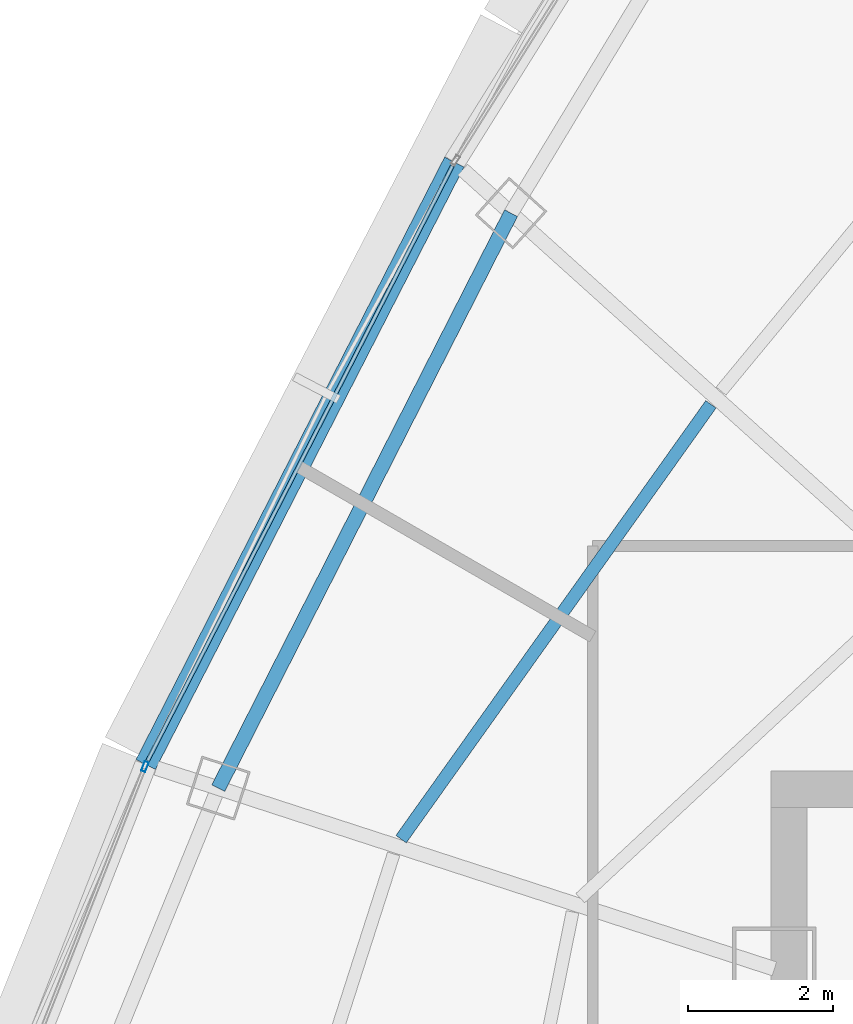
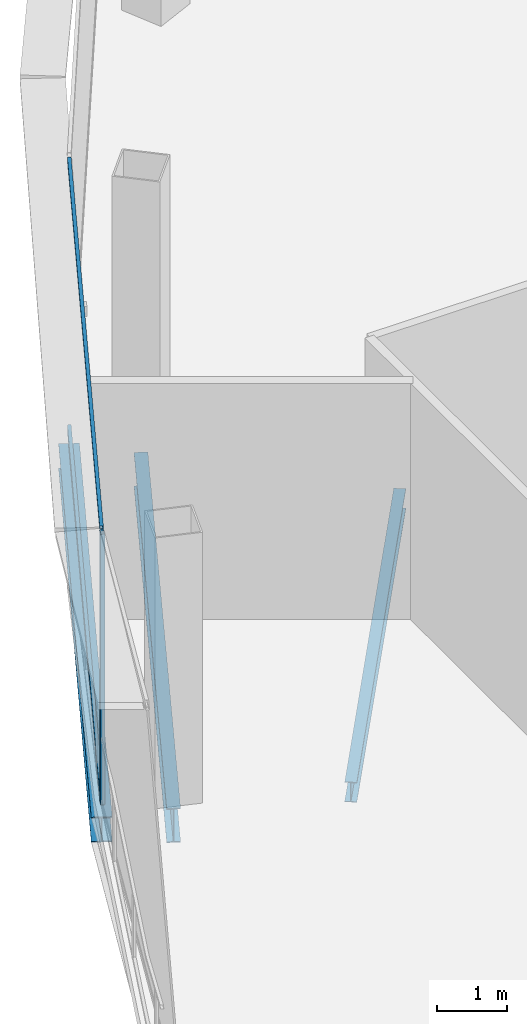
# One storey, part 6 of 29: 3 beams, 3 members, 2 elements without a shape of their own.
"""IFC4 building model written with IfcOpenShell, lengths in metres."""

from ifc_helpers import new_model, si_unit, direction, frame, origin, origin_2d, place, context, subcontext, project, spatial, hollow_rectangle, i_section, extrude, source, transform, mapped, material, layer, layer_set, material_profile, profile_set, type_object, element, aggregate, save


model = new_model("IFC4")

# Units and contexts
model_context = context("Model", 3, precision=1e-05, world=origin(), true_north=direction((0.0, 1.0)))
body_context = subcontext(model_context, "Body", "Model", "MODEL_VIEW")
ifc_project = project(units=[si_unit("LENGTHUNIT", "METRE"), si_unit("AREAUNIT", "SQUARE_METRE"), si_unit("VOLUMEUNIT", "CUBIC_METRE"), si_unit("PLANEANGLEUNIT", "RADIAN"), si_unit("MASSUNIT", "GRAM", prefix="KILO"), si_unit("THERMODYNAMICTEMPERATUREUNIT", "KELVIN"), si_unit("POWERUNIT", "WATT")], contexts=[model_context])

# Site, building, storey
site_placement = place(None, origin())
site = spatial("IfcSite", under=ifc_project, at=site_placement, CompositionType="ELEMENT")
building_placement = place(site_placement, origin())
building = spatial("IfcBuilding", under=site, at=building_placement, Name="Yunzhuo Pagoda Commons", CompositionType="ELEMENT")
storey_placement = place(building_placement, frame((0.0, 0.0, 366.760009765625)))
storey = spatial("IfcBuildingStorey", under=building, at=storey_placement, Name="L92", CompositionType="ELEMENT", Elevation=366.760009765625)

# Beams
ifc_material_1 = material(Name="Structural steel Q355B", Category="steel")
ifc_material_profile_1 = material_profile(ifc_material_1, i_section(OverallWidth=0.199951171875, OverallDepth=0.60009765625, WebThickness=0.010986328125, FlangeThickness=0.01708984375, at=origin_2d()), Name="Structural steel Q355B")
ifc_profile_set_1 = profile_set([ifc_material_profile_1], Name="Structural steel Q355B")
beam_type_1 = type_object("IfcBeamType", Name="B-RG3 Beam HN 600x200x11x17", PredefinedType="BEAM", material=ifc_profile_set_1)
shared_shape_1 = source(origin(), body_context, "Body", "SweptSolid", [
    extrude(i_section(OverallWidth=0.199951171875, OverallDepth=0.60009765625, WebThickness=0.010986328125, FlangeThickness=0.01708984375, at=origin_2d()), origin(), (0.0, 0.0, 1.0), 8.87939453125),
])
beam_1_placement = place(storey_placement, frame((31.975341796875, 48.128662109375, -0.580078125), z_axis=(-0.453723535687, -0.891142498798, 0.0), x_axis=(0.891142498798, -0.453723535687, 0.0)))
element("IfcBeam", 1, at=beam_1_placement, inside=storey, type_object=beam_type_1, Name="L92 column-ring beam 10", PredefinedType="BEAM", context=body_context, shape_type="MappedRepresentation", body=[
    mapped(shared_shape_1, transform((0.0, 0.0, 0.0), scale=1.0)),
])
ifc_material_profile_2 = material_profile(ifc_material_1, i_section(OverallWidth=0.175048828125, OverallDepth=0.35009765625, WebThickness=0.007080078125, FlangeThickness=0.010986328125, at=origin_2d()), Name="Structural steel Q355B")
ifc_profile_set_2 = profile_set([ifc_material_profile_2], Name="Structural steel Q355B")
beam_type_2 = type_object("IfcBeamType", Name="B-JS2 Joist HN 350x175x7x11", PredefinedType="JOIST", material=ifc_profile_set_2)
shared_shape_2 = source(origin(), body_context, "Body", "SweptSolid", [
    extrude(i_section(OverallWidth=0.175048828125, OverallDepth=0.35009765625, WebThickness=0.007080078125, FlangeThickness=0.010986328125, at=origin_2d()), origin(), (0.0, 0.0, 1.0), 7.347900390625),
])
beam_2_placement = place(storey_placement, frame((34.726318359375, 45.497802734375, -0.455078125), z_axis=(-0.580294898948, -0.814406428177, 0.0), x_axis=(0.814406428177, -0.580294898948, 0.0)))
element("IfcBeam", 2, at=beam_2_placement, inside=storey, type_object=beam_type_2, Name="L92 composite ring joist 2.10", PredefinedType="JOIST", context=body_context, shape_type="MappedRepresentation", body=[
    mapped(shared_shape_2, transform((0.0, 0.0, 0.0), scale=1.0)),
])
ifc_material_profile_3 = material_profile(ifc_material_1, i_section(OverallWidth=0.300048828125, OverallDepth=0.43994140625, WebThickness=0.010986328125, FlangeThickness=0.01806640625, at=origin_2d()), Name="Structural steel Q355B")
ifc_profile_set_3 = profile_set([ifc_material_profile_3], Name="Structural steel Q355B")
beam_type_3 = type_object("IfcBeamType", Name="B-SP2 Beam HM 440x300x11x18", PredefinedType="BEAM", material=ifc_profile_set_3)
shared_shape_3 = source(origin(), body_context, "Body", "SweptSolid", [
    extrude(i_section(OverallWidth=0.300048828125, OverallDepth=0.43994140625, WebThickness=0.010986328125, FlangeThickness=0.01806640625, at=origin_2d()), origin(), (0.0, 0.0, 1.0), 9.3154296875),
])
beam_3_placement = place(storey_placement, frame((31.195068359375, 48.831298828125, -0.5), z_axis=(-0.455914353887, -0.89002365245, 0.0), x_axis=(0.89002365245, -0.455914353887, 0.0)))
element("IfcBeam", 3, at=beam_3_placement, inside=storey, type_object=beam_type_3, Name="L92 facade edge spandrel beam F3.2", PredefinedType="BEAM", context=body_context, shape_type="MappedRepresentation", body=[
    mapped(shared_shape_3, transform((0.0, 0.0, 0.0), scale=1.0)),
])

# Curtain wall, member
ifc_material_2 = material(Name="Anodized aluminium 6063-T6", Category="aluminium")
ifc_layer = layer(ifc_material_2, 0.139892578125)
ifc_layer_set = layer_set([ifc_layer], Name="Anodized aluminium 6063-T6")
curtain_wall_type = type_object("IfcCurtainWallType", Name="CW-HI High-Zone Ribbon Curtain Wall", PredefinedType="NOTDEFINED", material=ifc_layer_set)
curtain_wall_1_placement = place(storey_placement, origin())
curtain_wall_1 = element("IfcCurtainWall", 4, at=curtain_wall_1_placement, inside=storey, type_object=curtain_wall_type, Name="L92 curtain wall CW-L92-F3B4", PredefinedType="NOTDEFINED")
ifc_material_profile_4 = material_profile(ifc_material_2, hollow_rectangle(XDim=0.06005859375, YDim=0.139892578125, WallThickness=0.00341796875, at=origin_2d()), Name="Anodized aluminium 6063-T6")
ifc_profile_set_4 = profile_set([ifc_material_profile_4], Name="Anodized aluminium 6063-T6")
member_type_1 = type_object("IfcMemberType", Name="CW-HI-M Mullion RHS 140x60x3.5", PredefinedType="MULLION", material=ifc_profile_set_4)
shared_shape_4 = source(origin(), body_context, "Body", "SweptSolid", [
    extrude(hollow_rectangle(XDim=0.06005859375, YDim=0.139892578125, WallThickness=0.00341796875, at=origin_2d()), origin(), (0.0, 0.0, 1.0), 4.72021484375),
])
member_1_placement = place(storey_placement, frame((26.93701171875, 40.51220703125, 0.0), z_axis=(0.0, 0.0, 1.0), x_axis=(0.930802876709, -0.365521551636, 0.0)))
member_1 = element("IfcMember", 5, at=member_1_placement, type_object=member_type_1, Name="CW mullion 1", PredefinedType="MULLION", context=body_context, shape_type="MappedRepresentation", body=[
    mapped(shared_shape_4, transform((0.0, 0.0, 0.0), scale=1.0)),
])
aggregate(curtain_wall_1, [member_1])

# Curtain wall, members
curtain_wall_2_placement = place(storey_placement, origin())
curtain_wall_2 = element("IfcCurtainWall", 6, at=curtain_wall_2_placement, inside=storey, type_object=curtain_wall_type, Name="L92 curtain wall CW-L92-F3B3", PredefinedType="NOTDEFINED")
ifc_material_profile_5 = material_profile(ifc_material_2, hollow_rectangle(XDim=0.054931640625, YDim=0.1201171875, WallThickness=0.00341796875, at=origin_2d()), Name="Anodized aluminium 6063-T6")
ifc_profile_set_5 = profile_set([ifc_material_profile_5], Name="Anodized aluminium 6063-T6")
member_type_2 = type_object("IfcMemberType", Name="CW-HI-T Transom RHS 120x55x3.5", PredefinedType="USERDEFINED", material=ifc_profile_set_5)
shared_shape_5 = source(origin(), body_context, "Body", "SweptSolid", [
    extrude(hollow_rectangle(XDim=0.054931640625, YDim=0.1201171875, WallThickness=0.00341796875, at=origin_2d()), origin(), (0.0, 0.0, 1.0), 9.195556640625),
])
member_2_placement = place(storey_placement, frame((31.167724609375, 48.77783203125, 0.027587890625), z_axis=(-0.45591126486, -0.890025234796, 0.0), x_axis=(0.890025234796, -0.45591126486, 0.0)))
member_2 = element("IfcMember", 7, at=member_2_placement, type_object=member_type_2, Name="CW transom 1.1", ObjectType="TRANSOM", PredefinedType="USERDEFINED", context=body_context, shape_type="MappedRepresentation", body=[
    mapped(shared_shape_5, transform((0.0, 0.0, 0.0), scale=1.0)),
])
member_3_placement = place(storey_placement, frame((31.167724609375, 48.77783203125, 4.6923828125), z_axis=(-0.45591126486, -0.890025234796, 0.0), x_axis=(0.890025234796, -0.45591126486, 0.0)))
member_3 = element("IfcMember", 8, at=member_3_placement, type_object=member_type_2, Name="CW transom 1.2", ObjectType="TRANSOM", PredefinedType="USERDEFINED", context=body_context, shape_type="MappedRepresentation", body=[
    mapped(shared_shape_5, transform((0.0, 0.0, 0.0), scale=1.0)),
])
aggregate(curtain_wall_2, [member_2, member_3])

save(model, "model.ifc")
